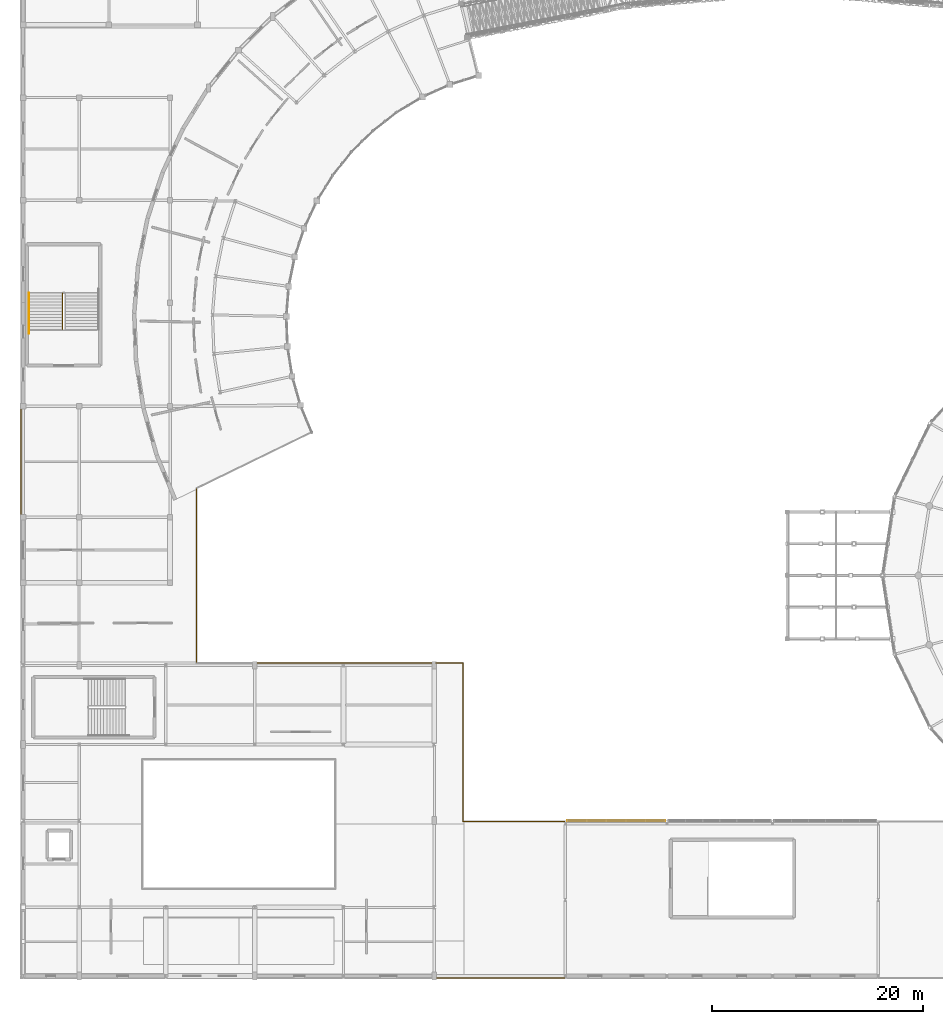
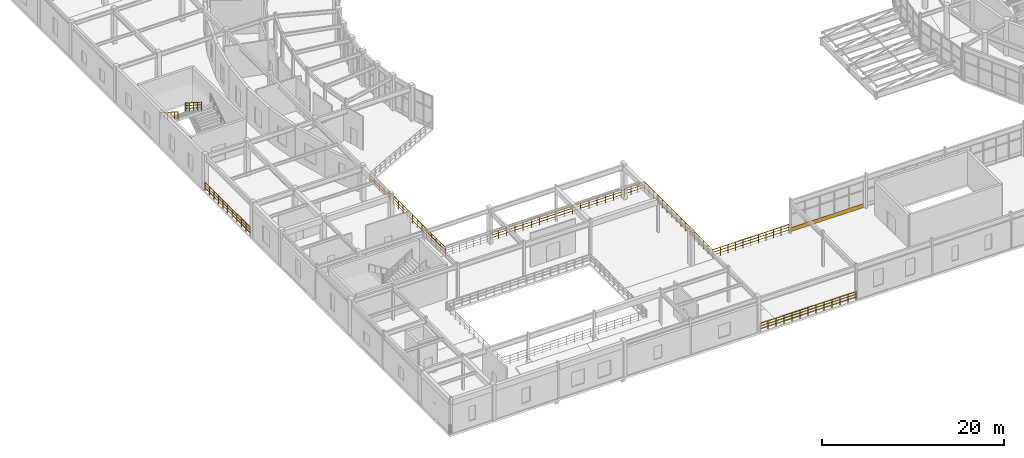
# One storey, part 131 of 144: 9 railings, 1 covering.
"""IFC4 building model written with IfcOpenShell, lengths in metres."""

from ifc_helpers import new_model, si_unit, direction, frame, origin, origin_2d, place, context, subcontext, project, spatial, rectangle, circle, extrude, material, layer, layer_set, type_object, element, save


model = new_model("IFC4")

# Units and contexts
model_context = context("Model", 3, precision=1e-05, world=origin(), true_north=direction((0.0, 1.0)))
body_context = subcontext(model_context, "Body", "Model", "MODEL_VIEW")
ifc_project = project(units=[si_unit("LENGTHUNIT", "METRE"), si_unit("AREAUNIT", "SQUARE_METRE"), si_unit("VOLUMEUNIT", "CUBIC_METRE"), si_unit("PLANEANGLEUNIT", "RADIAN"), si_unit("MASSUNIT", "GRAM", prefix="KILO")], contexts=[model_context])

# Site, building, storey
site_placement = place(None, origin())
site = spatial("IfcSite", under=ifc_project, at=site_placement, CompositionType="ELEMENT")
building_placement = place(site_placement, origin())
building = spatial("IfcBuilding", under=site, at=building_placement, Name="Cinderbank Siding Concert Hall", CompositionType="ELEMENT")
storey_placement = place(building_placement, frame((0.0, 0.0, 5.39990234375)))
storey = spatial("IfcBuildingStorey", under=building, at=storey_placement, Name="L02", CompositionType="ELEMENT", Elevation=5.39990234375)

# Covering
ifc_material_1 = material(Name="Spotted gum glulam timber GL18 (42 MPa)", Category="wood")
ifc_layer = layer(ifc_material_1, 0.06494140625)
ifc_layer_set = layer_set([ifc_layer], Name="Spotted gum glulam timber GL18 (42 MPa)")
covering_type = type_object("IfcCoveringType", Name="CL-01 Spotted Gum Spandrel Band 520mm", PredefinedType="CLADDING", material=ifc_layer_set)
covering_placement = place(storey_placement, frame((63.199951171875, 20.800048828125, 0.0), z_axis=(0.0, 0.0, 1.0), x_axis=(1.0, 0.0, 0.0)))
element("IfcCovering", 1, at=covering_placement, inside=storey, type_object=covering_type, Name="CW-L02-141 Spotted Gum Spandrel Band", PredefinedType="CLADDING", context=body_context, shape_type="SweptSolid", body=[
    extrude(rectangle(XDim=9.264892578125, YDim=0.06494140625, at=origin_2d()), origin(), (0.0, 0.0, 1.0), 0.52001953125),
])

# Railings
ifc_material_2 = material(Name="Structural steel AS/NZS 3679.1 Grade 350 (340 MPa)", Category="steel")
railing_type_1 = type_object("IfcRailingType", Name="GD-01 Terrace & Perimeter Guardrail 1120mm", PredefinedType="GUARDRAIL", material=ifc_material_2)
railing_1_placement = place(storey_placement, frame((23.5, 52.260009765625, 0.0)))
element("IfcRailing", 2, at=railing_1_placement, inside=storey, type_object=railing_type_1, Name="L02 Perimeter Guardrail #49", PredefinedType="GUARDRAIL", context=body_context, shape_type="SweptSolid", body=[
    extrude(circle(Radius=0.02392578125, at=origin_2d()), frame((0.0, 0.0, 1.09619140625), z_axis=(0.0, -1.0, 0.0), x_axis=(1.0, 0.0, 0.0)), (0.0, 0.0, 1.0), 16.56005859375),
    extrude(circle(Radius=0.01611328125, at=origin_2d()), frame((0.0, 0.0, 0.36962890625), z_axis=(0.0, -1.0, 0.0), x_axis=(1.0, 0.0, 0.0)), (0.0, 0.0, 1.0), 16.56005859375),
    extrude(circle(Radius=0.01611328125, at=origin_2d()), frame((0.0, 0.0, 0.7392578125), z_axis=(0.0, -1.0, 0.0), x_axis=(1.0, 0.0, 0.0)), (0.0, 0.0, 1.0), 16.56005859375),
    extrude(circle(Radius=0.02099609375, at=origin_2d()), origin(), (0.0, 0.0, 1.0), 1.072021484375),
    extrude(circle(Radius=0.02099609375, at=origin_2d()), frame((0.0, -1.034912109375, 0.0)), (0.0, 0.0, 1.0), 1.072021484375),
    extrude(circle(Radius=0.02099609375, at=origin_2d()), frame((0.0, -2.070068359375, 0.0)), (0.0, 0.0, 1.0), 1.072021484375),
    extrude(circle(Radius=0.02099609375, at=origin_2d()), frame((0.0, -3.10498046875, 0.0)), (0.0, 0.0, 1.0), 1.072021484375),
    extrude(circle(Radius=0.02099609375, at=origin_2d()), frame((0.0, -4.14013671875, 0.0)), (0.0, 0.0, 1.0), 1.072021484375),
    extrude(circle(Radius=0.02099609375, at=origin_2d()), frame((0.0, -5.175048828125, 0.0)), (0.0, 0.0, 1.0), 1.072021484375),
    extrude(circle(Radius=0.02099609375, at=origin_2d()), frame((0.0, -6.2099609375, 0.0)), (0.0, 0.0, 1.0), 1.072021484375),
    extrude(circle(Radius=0.02099609375, at=origin_2d()), frame((0.0, -7.2451171875, 0.0)), (0.0, 0.0, 1.0), 1.072021484375),
    extrude(circle(Radius=0.02099609375, at=origin_2d()), frame((0.0, -8.280029296875, 0.0)), (0.0, 0.0, 1.0), 1.072021484375),
    extrude(circle(Radius=0.02099609375, at=origin_2d()), frame((0.0, -9.31494140625, 0.0)), (0.0, 0.0, 1.0), 1.072021484375),
    extrude(circle(Radius=0.02099609375, at=origin_2d()), frame((0.0, -10.35009765625, 0.0)), (0.0, 0.0, 1.0), 1.072021484375),
    extrude(circle(Radius=0.02099609375, at=origin_2d()), frame((0.0, -11.385009765625, 0.0)), (0.0, 0.0, 1.0), 1.072021484375),
    extrude(circle(Radius=0.02099609375, at=origin_2d()), frame((0.0, -12.419921875, 0.0)), (0.0, 0.0, 1.0), 1.072021484375),
    extrude(circle(Radius=0.02099609375, at=origin_2d()), frame((0.0, -13.455078125, 0.0)), (0.0, 0.0, 1.0), 1.072021484375),
    extrude(circle(Radius=0.02099609375, at=origin_2d()), frame((0.0, -14.489990234375, 0.0)), (0.0, 0.0, 1.0), 1.072021484375),
    extrude(circle(Radius=0.02099609375, at=origin_2d()), frame((0.0, -15.525146484375, 0.0)), (0.0, 0.0, 1.0), 1.072021484375),
    extrude(circle(Radius=0.02099609375, at=origin_2d()), frame((0.0, -16.56005859375, 0.0)), (0.0, 0.0, 1.0), 1.072021484375),
])
railing_2_placement = place(storey_placement, frame((29.166015625, 35.699951171875, 0.0)))
element("IfcRailing", 3, at=railing_2_placement, inside=storey, type_object=railing_type_1, Name="L02 Perimeter Guardrail #51", PredefinedType="GUARDRAIL", context=body_context, shape_type="SweptSolid", body=[
    extrude(circle(Radius=0.02392578125, at=origin_2d()), frame((0.0, 0.0, 1.09619140625), z_axis=(1.0, 0.0, 0.0), x_axis=(0.0, 1.0, 0.0)), (0.0, 0.0, 1.0), 16.66796875),
    extrude(circle(Radius=0.01611328125, at=origin_2d()), frame((0.0, 0.0, 0.36962890625), z_axis=(1.0, 0.0, 0.0), x_axis=(0.0, 1.0, 0.0)), (0.0, 0.0, 1.0), 16.66796875),
    extrude(circle(Radius=0.01611328125, at=origin_2d()), frame((0.0, 0.0, 0.7392578125), z_axis=(1.0, 0.0, 0.0), x_axis=(0.0, 1.0, 0.0)), (0.0, 0.0, 1.0), 16.66796875),
    extrude(circle(Radius=0.02099609375, at=origin_2d()), origin(), (0.0, 0.0, 1.0), 1.072021484375),
    extrude(circle(Radius=0.02099609375, at=origin_2d()), frame((1.041748046875, 0.0, 0.0)), (0.0, 0.0, 1.0), 1.072021484375),
    extrude(circle(Radius=0.02099609375, at=origin_2d()), frame((2.08349609375, 0.0, 0.0)), (0.0, 0.0, 1.0), 1.072021484375),
    extrude(circle(Radius=0.02099609375, at=origin_2d()), frame((3.125244140625, 0.0, 0.0)), (0.0, 0.0, 1.0), 1.072021484375),
    extrude(circle(Radius=0.02099609375, at=origin_2d()), frame((4.1669921875, 0.0, 0.0)), (0.0, 0.0, 1.0), 1.072021484375),
    extrude(circle(Radius=0.02099609375, at=origin_2d()), frame((5.208740234375, 0.0, 0.0)), (0.0, 0.0, 1.0), 1.072021484375),
    extrude(circle(Radius=0.02099609375, at=origin_2d()), frame((6.25048828125, 0.0, 0.0)), (0.0, 0.0, 1.0), 1.072021484375),
    extrude(circle(Radius=0.02099609375, at=origin_2d()), frame((7.292236328125, 0.0, 0.0)), (0.0, 0.0, 1.0), 1.072021484375),
    extrude(circle(Radius=0.02099609375, at=origin_2d()), frame((8.333984375, 0.0, 0.0)), (0.0, 0.0, 1.0), 1.072021484375),
    extrude(circle(Radius=0.02099609375, at=origin_2d()), frame((9.375732421875, 0.0, 0.0)), (0.0, 0.0, 1.0), 1.072021484375),
    extrude(circle(Radius=0.02099609375, at=origin_2d()), frame((10.41748046875, 0.0, 0.0)), (0.0, 0.0, 1.0), 1.072021484375),
    extrude(circle(Radius=0.02099609375, at=origin_2d()), frame((11.459228515625, 0.0, 0.0)), (0.0, 0.0, 1.0), 1.072021484375),
    extrude(circle(Radius=0.02099609375, at=origin_2d()), frame((12.5009765625, 0.0, 0.0)), (0.0, 0.0, 1.0), 1.072021484375),
    extrude(circle(Radius=0.02099609375, at=origin_2d()), frame((13.542724609375, 0.0, 0.0)), (0.0, 0.0, 1.0), 1.072021484375),
    extrude(circle(Radius=0.02099609375, at=origin_2d()), frame((14.58447265625, 0.0, 0.0)), (0.0, 0.0, 1.0), 1.072021484375),
    extrude(circle(Radius=0.02099609375, at=origin_2d()), frame((15.626220703125, 0.0, 0.0)), (0.0, 0.0, 1.0), 1.072021484375),
    extrude(circle(Radius=0.02099609375, at=origin_2d()), frame((16.66796875, 0.0, 0.0)), (0.0, 0.0, 1.0), 1.072021484375),
])
railing_3_placement = place(storey_placement, frame((46.166015625, 35.699951171875, 0.0)))
element("IfcRailing", 4, at=railing_3_placement, inside=storey, type_object=railing_type_1, Name="L02 Perimeter Guardrail #52", PredefinedType="GUARDRAIL", context=body_context, shape_type="SweptSolid", body=[
    extrude(circle(Radius=0.02392578125, at=origin_2d()), frame((0.0, 0.0, 1.09619140625), z_axis=(1.0, 0.0, 0.0), x_axis=(0.0, 1.0, 0.0)), (0.0, 0.0, 1.0), 2.533935546875),
    extrude(circle(Radius=0.01611328125, at=origin_2d()), frame((0.0, 0.0, 0.36962890625), z_axis=(1.0, 0.0, 0.0), x_axis=(0.0, 1.0, 0.0)), (0.0, 0.0, 1.0), 2.533935546875),
    extrude(circle(Radius=0.01611328125, at=origin_2d()), frame((0.0, 0.0, 0.7392578125), z_axis=(1.0, 0.0, 0.0), x_axis=(0.0, 1.0, 0.0)), (0.0, 0.0, 1.0), 2.533935546875),
    extrude(circle(Radius=0.02099609375, at=origin_2d()), origin(), (0.0, 0.0, 1.0), 1.072021484375),
    extrude(circle(Radius=0.02099609375, at=origin_2d()), frame((0.8447265625, 0.0, 0.0)), (0.0, 0.0, 1.0), 1.072021484375),
    extrude(circle(Radius=0.02099609375, at=origin_2d()), frame((1.689208984375, 0.0, 0.0)), (0.0, 0.0, 1.0), 1.072021484375),
    extrude(circle(Radius=0.02099609375, at=origin_2d()), frame((2.533935546875, 0.0, 0.0)), (0.0, 0.0, 1.0), 1.072021484375),
])
railing_4_placement = place(storey_placement, frame((48.699951171875, 35.699951171875, 0.0)))
element("IfcRailing", 5, at=railing_4_placement, inside=storey, type_object=railing_type_1, Name="L02 Perimeter Guardrail #53", PredefinedType="GUARDRAIL", context=body_context, shape_type="SweptSolid", body=[
    extrude(circle(Radius=0.02392578125, at=origin_2d()), frame((0.0, 0.0, 1.09619140625), z_axis=(0.0, -1.0, 0.0), x_axis=(1.0, 0.0, 0.0)), (0.0, 0.0, 1.0), 15.0),
    extrude(circle(Radius=0.01611328125, at=origin_2d()), frame((0.0, 0.0, 0.36962890625), z_axis=(0.0, -1.0, 0.0), x_axis=(1.0, 0.0, 0.0)), (0.0, 0.0, 1.0), 15.0),
    extrude(circle(Radius=0.01611328125, at=origin_2d()), frame((0.0, 0.0, 0.7392578125), z_axis=(0.0, -1.0, 0.0), x_axis=(1.0, 0.0, 0.0)), (0.0, 0.0, 1.0), 15.0),
    extrude(circle(Radius=0.02099609375, at=origin_2d()), origin(), (0.0, 0.0, 1.0), 1.072021484375),
    extrude(circle(Radius=0.02099609375, at=origin_2d()), frame((0.0, -1.0, 0.0)), (0.0, 0.0, 1.0), 1.072021484375),
    extrude(circle(Radius=0.02099609375, at=origin_2d()), frame((0.0, -2.0, 0.0)), (0.0, 0.0, 1.0), 1.072021484375),
    extrude(circle(Radius=0.02099609375, at=origin_2d()), frame((0.0, -3.0, 0.0)), (0.0, 0.0, 1.0), 1.072021484375),
    extrude(circle(Radius=0.02099609375, at=origin_2d()), frame((0.0, -4.0, 0.0)), (0.0, 0.0, 1.0), 1.072021484375),
    extrude(circle(Radius=0.02099609375, at=origin_2d()), frame((0.0, -5.0, 0.0)), (0.0, 0.0, 1.0), 1.072021484375),
    extrude(circle(Radius=0.02099609375, at=origin_2d()), frame((0.0, -6.0, 0.0)), (0.0, 0.0, 1.0), 1.072021484375),
    extrude(circle(Radius=0.02099609375, at=origin_2d()), frame((0.0, -7.0, 0.0)), (0.0, 0.0, 1.0), 1.072021484375),
    extrude(circle(Radius=0.02099609375, at=origin_2d()), frame((0.0, -8.0, 0.0)), (0.0, 0.0, 1.0), 1.072021484375),
    extrude(circle(Radius=0.02099609375, at=origin_2d()), frame((0.0, -9.0, 0.0)), (0.0, 0.0, 1.0), 1.072021484375),
    extrude(circle(Radius=0.02099609375, at=origin_2d()), frame((0.0, -10.0, 0.0)), (0.0, 0.0, 1.0), 1.072021484375),
    extrude(circle(Radius=0.02099609375, at=origin_2d()), frame((0.0, -11.0, 0.0)), (0.0, 0.0, 1.0), 1.072021484375),
    extrude(circle(Radius=0.02099609375, at=origin_2d()), frame((0.0, -12.0, 0.0)), (0.0, 0.0, 1.0), 1.072021484375),
    extrude(circle(Radius=0.02099609375, at=origin_2d()), frame((0.0, -13.0, 0.0)), (0.0, 0.0, 1.0), 1.072021484375),
    extrude(circle(Radius=0.02099609375, at=origin_2d()), frame((0.0, -14.0, 0.0)), (0.0, 0.0, 1.0), 1.072021484375),
    extrude(circle(Radius=0.02099609375, at=origin_2d()), frame((0.0, -15.0, 0.0)), (0.0, 0.0, 1.0), 1.072021484375),
])
railing_5_placement = place(storey_placement, frame((48.699951171875, 20.699951171875, 0.0)))
element("IfcRailing", 6, at=railing_5_placement, inside=storey, type_object=railing_type_1, Name="L02 Perimeter Guardrail #54", PredefinedType="GUARDRAIL", context=body_context, shape_type="SweptSolid", body=[
    extrude(circle(Radius=0.02392578125, at=origin_2d()), frame((0.0, 0.0, 1.09619140625), z_axis=(1.0, 0.0, 0.0), x_axis=(0.0, 1.0, 0.0)), (0.0, 0.0, 1.0), 9.62744140625),
    extrude(circle(Radius=0.01611328125, at=origin_2d()), frame((0.0, 0.0, 0.36962890625), z_axis=(1.0, 0.0, 0.0), x_axis=(0.0, 1.0, 0.0)), (0.0, 0.0, 1.0), 9.62744140625),
    extrude(circle(Radius=0.01611328125, at=origin_2d()), frame((0.0, 0.0, 0.7392578125), z_axis=(1.0, 0.0, 0.0), x_axis=(0.0, 1.0, 0.0)), (0.0, 0.0, 1.0), 9.62744140625),
    extrude(circle(Radius=0.02099609375, at=origin_2d()), origin(), (0.0, 0.0, 1.0), 1.072021484375),
    extrude(circle(Radius=0.02099609375, at=origin_2d()), frame((0.962646484375, 0.0, 0.0)), (0.0, 0.0, 1.0), 1.072021484375),
    extrude(circle(Radius=0.02099609375, at=origin_2d()), frame((1.925537109375, 0.0, 0.0)), (0.0, 0.0, 1.0), 1.072021484375),
    extrude(circle(Radius=0.02099609375, at=origin_2d()), frame((2.88818359375, 0.0, 0.0)), (0.0, 0.0, 1.0), 1.072021484375),
    extrude(circle(Radius=0.02099609375, at=origin_2d()), frame((3.85107421875, 0.0, 0.0)), (0.0, 0.0, 1.0), 1.072021484375),
    extrude(circle(Radius=0.02099609375, at=origin_2d()), frame((4.813720703125, 0.0, 0.0)), (0.0, 0.0, 1.0), 1.072021484375),
    extrude(circle(Radius=0.02099609375, at=origin_2d()), frame((5.7763671875, 0.0, 0.0)), (0.0, 0.0, 1.0), 1.072021484375),
    extrude(circle(Radius=0.02099609375, at=origin_2d()), frame((6.7392578125, 0.0, 0.0)), (0.0, 0.0, 1.0), 1.072021484375),
    extrude(circle(Radius=0.02099609375, at=origin_2d()), frame((7.701904296875, 0.0, 0.0)), (0.0, 0.0, 1.0), 1.072021484375),
    extrude(circle(Radius=0.02099609375, at=origin_2d()), frame((8.664794921875, 0.0, 0.0)), (0.0, 0.0, 1.0), 1.072021484375),
    extrude(circle(Radius=0.02099609375, at=origin_2d()), frame((9.62744140625, 0.0, 0.0)), (0.0, 0.0, 1.0), 1.072021484375),
])
railing_6_placement = place(storey_placement, frame((58.321533203125, 5.89990234375, 0.0)))
element("IfcRailing", 7, at=railing_6_placement, inside=storey, type_object=railing_type_1, Name="L02 Perimeter Guardrail #58", PredefinedType="GUARDRAIL", context=body_context, shape_type="SweptSolid", body=[
    extrude(circle(Radius=0.02392578125, at=origin_2d()), frame((0.0, 0.0, 1.09619140625), z_axis=(-1.0, 0.0, 0.0), x_axis=(0.0, -1.0, 0.0)), (0.0, 0.0, 1.0), 12.155517578125),
    extrude(circle(Radius=0.01611328125, at=origin_2d()), frame((0.0, 0.0, 0.36962890625), z_axis=(-1.0, 0.0, 0.0), x_axis=(0.0, -1.0, 0.0)), (0.0, 0.0, 1.0), 12.155517578125),
    extrude(circle(Radius=0.01611328125, at=origin_2d()), frame((0.0, 0.0, 0.7392578125), z_axis=(-1.0, 0.0, 0.0), x_axis=(0.0, -1.0, 0.0)), (0.0, 0.0, 1.0), 12.155517578125),
    extrude(circle(Radius=0.02099609375, at=origin_2d()), origin(), (0.0, 0.0, 1.0), 1.072021484375),
    extrude(circle(Radius=0.02099609375, at=origin_2d()), frame((-1.012939453125, 0.0, 0.0)), (0.0, 0.0, 1.0), 1.072021484375),
    extrude(circle(Radius=0.02099609375, at=origin_2d()), frame((-2.02587890625, 0.0, 0.0)), (0.0, 0.0, 1.0), 1.072021484375),
    extrude(circle(Radius=0.02099609375, at=origin_2d()), frame((-3.038818359375, 0.0, 0.0)), (0.0, 0.0, 1.0), 1.072021484375),
    extrude(circle(Radius=0.02099609375, at=origin_2d()), frame((-4.0517578125, 0.0, 0.0)), (0.0, 0.0, 1.0), 1.072021484375),
    extrude(circle(Radius=0.02099609375, at=origin_2d()), frame((-5.064697265625, 0.0, 0.0)), (0.0, 0.0, 1.0), 1.072021484375),
    extrude(circle(Radius=0.02099609375, at=origin_2d()), frame((-6.07763671875, 0.0, 0.0)), (0.0, 0.0, 1.0), 1.072021484375),
    extrude(circle(Radius=0.02099609375, at=origin_2d()), frame((-7.0908203125, 0.0, 0.0)), (0.0, 0.0, 1.0), 1.072021484375),
    extrude(circle(Radius=0.02099609375, at=origin_2d()), frame((-8.103759765625, 0.0, 0.0)), (0.0, 0.0, 1.0), 1.072021484375),
    extrude(circle(Radius=0.02099609375, at=origin_2d()), frame((-9.11669921875, 0.0, 0.0)), (0.0, 0.0, 1.0), 1.072021484375),
    extrude(circle(Radius=0.02099609375, at=origin_2d()), frame((-10.129638671875, 0.0, 0.0)), (0.0, 0.0, 1.0), 1.072021484375),
    extrude(circle(Radius=0.02099609375, at=origin_2d()), frame((-11.142578125, 0.0, 0.0)), (0.0, 0.0, 1.0), 1.072021484375),
    extrude(circle(Radius=0.02099609375, at=origin_2d()), frame((-12.155517578125, 0.0, 0.0)), (0.0, 0.0, 1.0), 1.072021484375),
])
railing_7_placement = place(storey_placement, frame((6.89990234375, 49.736572265625, 0.0)))
element("IfcRailing", 8, at=railing_7_placement, inside=storey, type_object=railing_type_1, Name="L02 Perimeter Guardrail #61", PredefinedType="GUARDRAIL", context=body_context, shape_type="SweptSolid", body=[
    extrude(circle(Radius=0.02392578125, at=origin_2d()), frame((0.0, 0.0, 1.09619140625), z_axis=(0.0, 1.0, 0.0), x_axis=(-1.0, 0.0, 0.0)), (0.0, 0.0, 1.0), 10.02685546875),
    extrude(circle(Radius=0.01611328125, at=origin_2d()), frame((0.0, 0.0, 0.36962890625), z_axis=(0.0, 1.0, 0.0), x_axis=(-1.0, 0.0, 0.0)), (0.0, 0.0, 1.0), 10.02685546875),
    extrude(circle(Radius=0.01611328125, at=origin_2d()), frame((0.0, 0.0, 0.7392578125), z_axis=(0.0, 1.0, 0.0), x_axis=(-1.0, 0.0, 0.0)), (0.0, 0.0, 1.0), 10.02685546875),
    extrude(circle(Radius=0.02099609375, at=origin_2d()), origin(), (0.0, 0.0, 1.0), 1.072021484375),
    extrude(circle(Radius=0.02099609375, at=origin_2d()), frame((0.0, 1.002685546875, 0.0)), (0.0, 0.0, 1.0), 1.072021484375),
    extrude(circle(Radius=0.02099609375, at=origin_2d()), frame((0.0, 2.00537109375, 0.0)), (0.0, 0.0, 1.0), 1.072021484375),
    extrude(circle(Radius=0.02099609375, at=origin_2d()), frame((0.0, 3.008056640625, 0.0)), (0.0, 0.0, 1.0), 1.072021484375),
    extrude(circle(Radius=0.02099609375, at=origin_2d()), frame((0.0, 4.0107421875, 0.0)), (0.0, 0.0, 1.0), 1.072021484375),
    extrude(circle(Radius=0.02099609375, at=origin_2d()), frame((0.0, 5.013427734375, 0.0)), (0.0, 0.0, 1.0), 1.072021484375),
    extrude(circle(Radius=0.02099609375, at=origin_2d()), frame((0.0, 6.01611328125, 0.0)), (0.0, 0.0, 1.0), 1.072021484375),
    extrude(circle(Radius=0.02099609375, at=origin_2d()), frame((0.0, 7.018798828125, 0.0)), (0.0, 0.0, 1.0), 1.072021484375),
    extrude(circle(Radius=0.02099609375, at=origin_2d()), frame((0.0, 8.021484375, 0.0)), (0.0, 0.0, 1.0), 1.072021484375),
    extrude(circle(Radius=0.02099609375, at=origin_2d()), frame((0.0, 9.024169921875, 0.0)), (0.0, 0.0, 1.0), 1.072021484375),
    extrude(circle(Radius=0.02099609375, at=origin_2d()), frame((0.0, 10.02685546875, 0.0)), (0.0, 0.0, 1.0), 1.072021484375),
])
railing_type_2 = type_object("IfcRailingType", Name="STG-01 Stair Well Guardrail 1120mm", PredefinedType="GUARDRAIL", material=ifc_material_2)
railing_8_placement = place(storey_placement, frame((10.800048828125, 70.72998046875, 2.584716796875)))
element("IfcRailing", 9, at=railing_8_placement, inside=storey, type_object=railing_type_2, Name="L02 ST-09 stair guard 3", PredefinedType="GUARDRAIL", context=body_context, shape_type="SweptSolid", body=[
    extrude(circle(Radius=0.02392578125, at=origin_2d()), frame((0.0, 0.0, 1.09619140625), z_axis=(0.0, -0.843573748531, 0.537013343214), x_axis=(1.0, 0.0, 0.0)), (0.0, 0.0, 1.0), 4.125244140625),
    extrude(circle(Radius=0.01611328125, at=origin_2d()), frame((0.0, 0.0, 0.36962890625), z_axis=(0.0, -0.843573748531, 0.537013343214), x_axis=(1.0, 0.0, 0.0)), (0.0, 0.0, 1.0), 4.125244140625),
    extrude(circle(Radius=0.01611328125, at=origin_2d()), frame((0.0, 0.0, 0.7392578125), z_axis=(0.0, -0.843573748531, 0.537013343214), x_axis=(1.0, 0.0, 0.0)), (0.0, 0.0, 1.0), 4.125244140625),
    extrude(circle(Radius=0.02099609375, at=origin_2d()), origin(), (0.0, 0.0, 1.0), 1.072021484375),
    extrude(circle(Radius=0.02099609375, at=origin_2d()), frame((0.0, -0.8701171875, 0.5537109375)), (0.0, 0.0, 1.0), 1.072021484375),
    extrude(circle(Radius=0.02099609375, at=origin_2d()), frame((0.0, -1.739990234375, 1.107666015625)), (0.0, 0.0, 1.0), 1.072021484375),
    extrude(circle(Radius=0.02099609375, at=origin_2d()), frame((0.0, -2.60986328125, 1.66162109375)), (0.0, 0.0, 1.0), 1.072021484375),
    extrude(circle(Radius=0.02099609375, at=origin_2d()), frame((0.0, -3.47998046875, 2.21533203125)), (0.0, 0.0, 1.0), 1.072021484375),
])
railing_type_3 = type_object("IfcRailingType", Name="STH-01 Stair Pitch Handrail 920mm", PredefinedType="HANDRAIL", material=ifc_material_2)
railing_9_placement = place(storey_placement, frame((7.64990234375, 70.72998046875, 2.584716796875)))
element("IfcRailing", 10, at=railing_9_placement, inside=storey, type_object=railing_type_3, Name="L02 ST-09 stair handrail 2", PredefinedType="HANDRAIL", context=body_context, shape_type="SweptSolid", body=[
    extrude(circle(Radius=0.02392578125, at=origin_2d()), frame((0.0, 0.0, 0.89599609375), z_axis=(0.0, -0.843580498726, 0.537002739443), x_axis=(1.0, 0.0, 0.0)), (0.0, 0.0, 1.0), 4.468994140625),
    extrude(circle(Radius=0.02392578125, at=origin_2d()), frame((0.0, -3.77001953125, 3.2958984375), z_axis=(0.0, -1.0, 0.0), x_axis=(1.0, 0.0, 0.0)), (0.0, 0.0, 1.0), 0.06005859375),
    extrude(circle(Radius=0.02099609375, at=origin_2d()), origin(), (0.0, 0.0, 1.0), 0.871826171875),
    extrude(circle(Radius=0.02099609375, at=origin_2d()), frame((0.0, -0.75390625, 0.47998046875)), (0.0, 0.0, 1.0), 0.871826171875),
    extrude(circle(Radius=0.02099609375, at=origin_2d()), frame((0.0, -1.508056640625, 0.9599609375)), (0.0, 0.0, 1.0), 0.871826171875),
    extrude(circle(Radius=0.02099609375, at=origin_2d()), frame((0.0, -2.261962890625, 1.43994140625)), (0.0, 0.0, 1.0), 0.871826171875),
    extrude(circle(Radius=0.02099609375, at=origin_2d()), frame((0.0, -3.01611328125, 1.919921875)), (0.0, 0.0, 1.0), 0.871826171875),
    extrude(circle(Radius=0.02099609375, at=origin_2d()), frame((0.0, -3.77001953125, 2.39990234375)), (0.0, 0.0, 1.0), 0.871826171875),
    extrude(circle(Radius=0.02099609375, at=origin_2d()), frame((0.0, -3.830078125, 2.21533203125)), (0.0, 0.0, 1.0), 1.056396484375),
])

save(model, "model.ifc")
